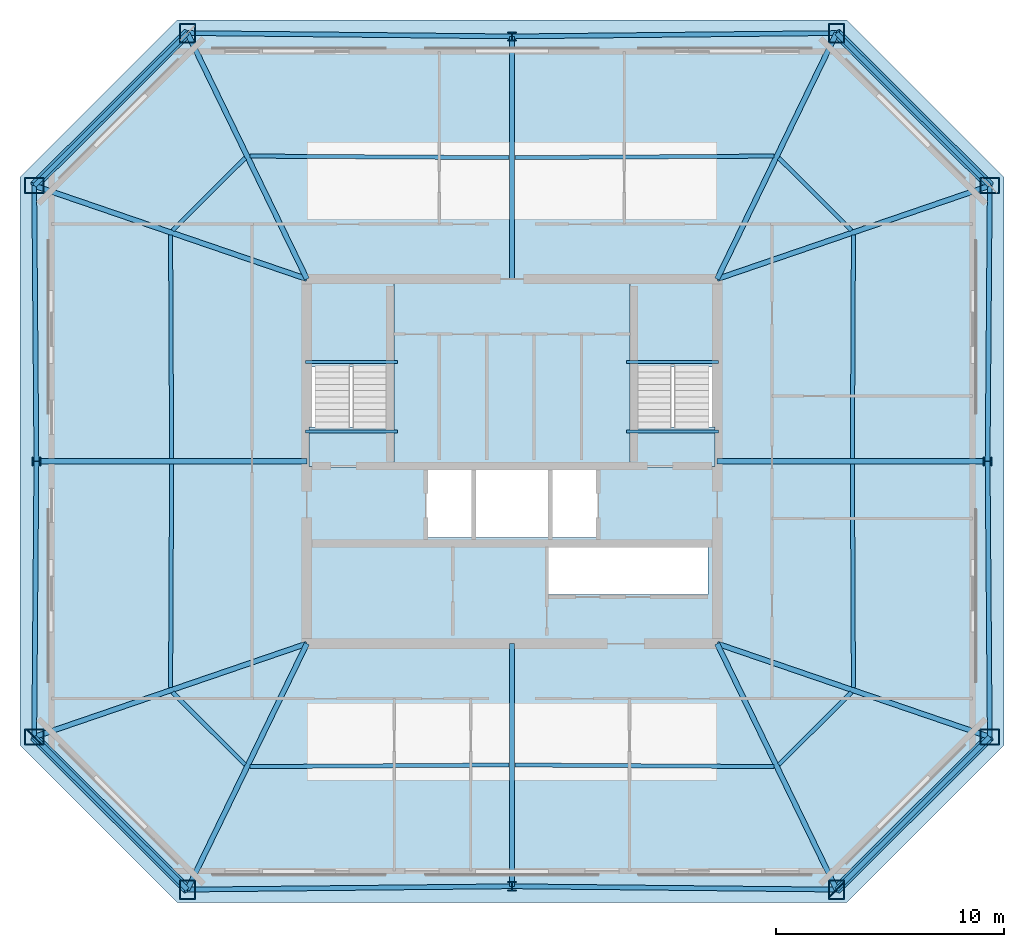
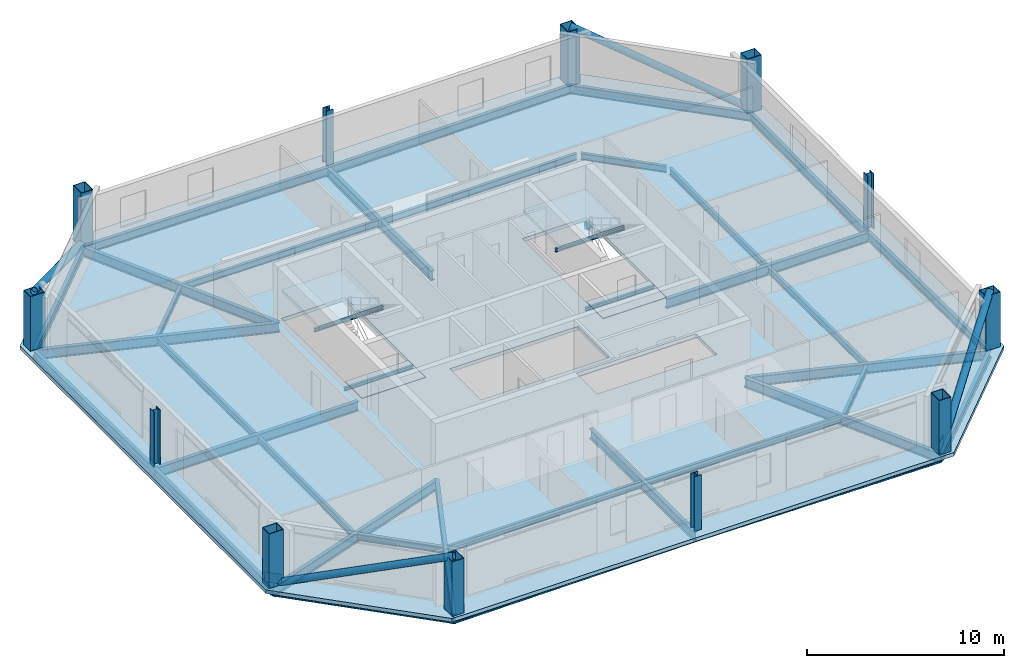
# One storey, part 1 of 7: 40 beams, 12 columns, 5 slabs, 4 members, 2 plates, 2 elements without a shape of their own.
"""IFC4 building model written with IfcOpenShell, lengths in metres."""

from ifc_helpers import new_model, si_unit, direction, frame, origin, origin_2d, place, context, subcontext, project, spatial, polyline, rectangle, hollow_rectangle, hollow_circle, i_section, outline, extrude, material, layer, layer_set, material_profile, profile_set, type_object, element, aggregate, save


model = new_model("IFC4")

# Units and contexts
model_context = context("Model", 3, precision=1e-05, world=origin(), true_north=direction((0.0, 1.0)))
body_context = subcontext(model_context, "Body", "Model", "MODEL_VIEW")
ifc_project = project(units=[si_unit("LENGTHUNIT", "METRE"), si_unit("AREAUNIT", "SQUARE_METRE"), si_unit("VOLUMEUNIT", "CUBIC_METRE"), si_unit("PLANEANGLEUNIT", "RADIAN"), si_unit("MASSUNIT", "GRAM", prefix="KILO")], contexts=[model_context])

# Site, building, storey
site_placement = place(None, origin())
site = spatial("IfcSite", under=ifc_project, at=site_placement, CompositionType="ELEMENT")
building_placement = place(site_placement, origin())
building = spatial("IfcBuilding", under=site, at=building_placement, Name="Caelvoria Tower", CompositionType="ELEMENT")
storey_placement = place(building_placement, frame((0.0, 0.0, 213.0)))
storey = spatial("IfcBuildingStorey", under=building, at=storey_placement, Name="L56", CompositionType="ELEMENT", Elevation=213.0)

# Columns
ifc_material_1 = material(Name="Structural Steel ASTM A572 Gr.50", Category="steel")
ifc_material_profile_1 = material_profile(ifc_material_1, hollow_rectangle(XDim=0.699951171875, YDim=0.85009765625, WallThickness=0.0400390625, at=origin_2d()), Name="Structural Steel ASTM A572 Gr.50")
ifc_profile_set_1 = profile_set([ifc_material_profile_1], Name="BOX850X700X40 - Structural Steel ASTM A572 Gr.50")
column_type_1 = type_object("IfcColumnType", Name="Mega Box Column 850x700x40", PredefinedType="COLUMN", material=ifc_profile_set_1)
for number, where, z_axis, x_axis, name in (
    (1, (31.757568359375, 13.210205078125, 0.0), (0.0, 0.0, 1.0), (1.0, 0.0, 0.0), "Perimeter Megaframe Column L56-P00"),
    (2, (60.242431640625, 13.210205078125, 0.0), (0.0, 0.0, 1.0), (1.0, 0.0, 0.0), "Perimeter Megaframe Column L56-P02"),
    (3, (66.962890625, 19.9052734375, 0.0), (0.0, 0.0, 1.0), (0.0, 1.0, 0.0), "Perimeter Megaframe Column L56-P03"),
    (4, (66.962890625, 44.0947265625, 0.0), (0.0, 0.0, 1.0), (0.0, 1.0, 0.0), "Perimeter Megaframe Column L56-P05"),
    (5, (60.242431640625, 50.789794921875, 0.0), (0.0, 0.0, 1.0), (1.0, 0.0, 0.0), "Perimeter Megaframe Column L56-P06"),
    (6, (31.757568359375, 50.789794921875, 0.0), (0.0, 0.0, 1.0), (1.0, 0.0, 0.0), "Perimeter Megaframe Column L56-P08"),
    (7, (25.037109375, 44.0947265625, 0.0), (0.0, 0.0, 1.0), (0.0, 1.0, 0.0), "Perimeter Megaframe Column L56-P09"),
    (8, (25.037109375, 19.9052734375, 0.0), (0.0, 0.0, 1.0), (0.0, 1.0, 0.0), "Perimeter Megaframe Column L56-P11"),
):
    element("IfcColumn", number, at=place(storey_placement, frame(where, z_axis=z_axis, x_axis=x_axis)), inside=storey, type_object=column_type_1, Name=name, PredefinedType="COLUMN", context=body_context, shape_type="SweptSolid", body=[
        extrude(hollow_rectangle(XDim=0.699951171875, YDim=0.85009765625, WallThickness=0.0400390625, at=origin_2d()), origin(), (0.0, 0.0, 1.0), 3.373046875),
    ])
ifc_material_2 = material(Name="Structural Steel ASTM A992 Gr.50", Category="steel")
ifc_material_profile_2 = material_profile(ifc_material_2, i_section(OverallWidth=0.40087890625, OverallDepth=0.39892578125, WebThickness=0.02490234375, FlangeThickness=0.03955078125, FilletRadius=0.02490234375, at=origin_2d()), Name="Structural Steel ASTM A992 Gr.50")
ifc_profile_set_2 = profile_set([ifc_material_profile_2], Name="W360X314 - Structural Steel ASTM A992 Gr.50")
column_type_2 = type_object("IfcColumnType", Name="Upper Frame Column W360X314", PredefinedType="COLUMN", material=ifc_profile_set_2)
for number, where, z_axis, x_axis, name in (
    (9, (46.0, 13.3564453125, 0.0), (0.0, 0.0, 1.0), (1.0, 0.0, 0.0), "Perimeter Megaframe Column L56-P01"),
    (10, (66.866455078125, 32.0, 0.0), (0.0, 0.0, 1.0), (0.0, 1.0, 0.0), "Perimeter Megaframe Column L56-P04"),
    (11, (46.0, 50.6435546875, 0.0), (0.0, 0.0, 1.0), (1.0, 0.0, 0.0), "Perimeter Megaframe Column L56-P07"),
    (12, (25.133544921875, 32.0, 0.0), (0.0, 0.0, 1.0), (0.0, 1.0, 0.0), "Perimeter Megaframe Column L56-P10"),
):
    element("IfcColumn", number, at=place(storey_placement, frame(where, z_axis=z_axis, x_axis=x_axis)), inside=storey, type_object=column_type_2, Name=name, PredefinedType="COLUMN", context=body_context, shape_type="SweptSolid", body=[
        extrude(i_section(OverallWidth=0.40087890625, OverallDepth=0.39892578125, WebThickness=0.02490234375, FlangeThickness=0.03955078125, FilletRadius=0.02490234375, at=origin_2d()), origin(), (0.0, 0.0, 1.0), 3.373046875),
    ])

# Beams
ifc_material_profile_3 = material_profile(ifc_material_2, i_section(OverallWidth=0.134033203125, OverallDepth=0.2099609375, WebThickness=0.00634765625, FlangeThickness=0.01025390625, FilletRadius=0.010009765625, at=origin_2d()), Name="Structural Steel ASTM A992 Gr.50")
ifc_profile_set_3 = profile_set([ifc_material_profile_3], Name="W200X31.3 - Structural Steel ASTM A992 Gr.50")
beam_type_1 = type_object("IfcBeamType", Name="Canopy Edge Trim Beam W200X31.3", PredefinedType="BEAM", material=ifc_profile_set_3)
for number, where, z_axis, x_axis, name in (
    (13, (36.929931640625, 36.35009765625, 1.4951171875), (1.0, 0.0, 0.0), (0.0, 1.0, 0.0), "ST-01 Half-Landing Support Beam L56"),
    (14, (36.929931640625, 33.300048828125, -0.304931640625), (1.0, 0.0, 0.0), (0.0, 1.0, 0.0), "ST-01 Floor-Landing Support Beam L56"),
    (15, (51.030029296875, 36.35009765625, 1.4951171875), (1.0, 0.0, 0.0), (0.0, 1.0, 0.0), "ST-02 Half-Landing Support Beam L56"),
    (16, (51.030029296875, 33.300048828125, -0.304931640625), (1.0, 0.0, 0.0), (0.0, 1.0, 0.0), "ST-02 Floor-Landing Support Beam L56"),
):
    element("IfcBeam", number, at=place(storey_placement, frame(where, z_axis=z_axis, x_axis=x_axis)), inside=storey, type_object=beam_type_1, Name=name, PredefinedType="BEAM", context=body_context, shape_type="SweptSolid", body=[
        extrude(i_section(OverallWidth=0.134033203125, OverallDepth=0.2099609375, WebThickness=0.00634765625, FlangeThickness=0.01025390625, FilletRadius=0.010009765625, at=origin_2d()), origin(), (0.0, 0.0, 1.0), 4.0400390625),
    ])
ifc_material_profile_4 = material_profile(ifc_material_2, i_section(OverallWidth=0.22802734375, OverallDepth=0.60302734375, WebThickness=0.010498046875, FlangeThickness=0.014892578125, FilletRadius=0.01806640625, at=origin_2d()), Name="Structural Steel ASTM A992 Gr.50")
ifc_profile_set_4 = profile_set([ifc_material_profile_4], Name="W610X101 - Structural Steel ASTM A992 Gr.50")
beam_type_2 = type_object("IfcBeamType", Name="Primary Floor Girder W610X101", PredefinedType="BEAM", material=ifc_profile_set_4)
beam_1_placement = place(storey_placement, frame((37.0, 24.0, -0.526611328125), z_axis=(-0.437016876181, -0.899453306144, 0.0), x_axis=(0.899453306144, -0.437016876181, 0.0)))
element("IfcBeam", 17, at=beam_1_placement, inside=storey, type_object=beam_type_2, Name="Primary Floor Girder L56-00", PredefinedType="BEAM", context=body_context, shape_type="SweptSolid", body=[
    extrude(i_section(OverallWidth=0.22802734375, OverallDepth=0.60302734375, WebThickness=0.010498046875, FlangeThickness=0.014892578125, FilletRadius=0.01806640625, at=origin_2d()), origin(), (0.0, 0.0, 1.0), 11.995849609375),
])
beam_2_placement = place(storey_placement, frame((46.0, 24.0, -0.526611328125), z_axis=(0.0, -1.0, 0.0), x_axis=(1.0, 0.0, 0.0)))
element("IfcBeam", 18, at=beam_2_placement, inside=storey, type_object=beam_type_2, Name="Primary Floor Girder L56-01", PredefinedType="BEAM", context=body_context, shape_type="SweptSolid", body=[
    extrude(i_section(OverallWidth=0.22802734375, OverallDepth=0.60302734375, WebThickness=0.010498046875, FlangeThickness=0.014892578125, FilletRadius=0.01806640625, at=origin_2d()), origin(), (0.0, 0.0, 1.0), 10.6435546875),
])
beam_3_placement = place(storey_placement, frame((55.0, 24.0, -0.526611328125), z_axis=(0.437016876181, -0.899453306144, 0.0), x_axis=(0.899453306144, 0.437016876181, 0.0)))
element("IfcBeam", 19, at=beam_3_placement, inside=storey, type_object=beam_type_2, Name="Primary Floor Girder L56-02", PredefinedType="BEAM", context=body_context, shape_type="SweptSolid", body=[
    extrude(i_section(OverallWidth=0.22802734375, OverallDepth=0.60302734375, WebThickness=0.010498046875, FlangeThickness=0.014892578125, FilletRadius=0.01806640625, at=origin_2d()), origin(), (0.0, 0.0, 1.0), 11.995849609375),
])
beam_4_placement = place(storey_placement, frame((55.0, 24.0, -0.526611328125), z_axis=(0.946111685505, -0.323840514067, 0.0), x_axis=(0.323840514067, 0.946111685505, 0.0)))
element("IfcBeam", 20, at=beam_4_placement, inside=storey, type_object=beam_type_2, Name="Primary Floor Girder L56-03", PredefinedType="BEAM", context=body_context, shape_type="SweptSolid", body=[
    extrude(i_section(OverallWidth=0.22802734375, OverallDepth=0.60302734375, WebThickness=0.010498046875, FlangeThickness=0.014892578125, FilletRadius=0.01806640625, at=origin_2d()), origin(), (0.0, 0.0, 1.0), 12.644287109375),
])
beam_5_placement = place(storey_placement, frame((55.0, 32.0, -0.526611328125), z_axis=(1.0, 0.0, 0.0), x_axis=(0.0, 1.0, 0.0)))
element("IfcBeam", 21, at=beam_5_placement, inside=storey, type_object=beam_type_2, Name="Primary Floor Girder L56-04", PredefinedType="BEAM", context=body_context, shape_type="SweptSolid", body=[
    extrude(i_section(OverallWidth=0.22802734375, OverallDepth=0.60302734375, WebThickness=0.010498046875, FlangeThickness=0.014892578125, FilletRadius=0.01806640625, at=origin_2d()), origin(), (0.0, 0.0, 1.0), 11.866455078125),
])
beam_6_placement = place(storey_placement, frame((55.0, 40.0, -0.526611328125), z_axis=(0.946111685505, 0.323840514067, 0.0), x_axis=(-0.323840514067, 0.946111685505, 0.0)))
element("IfcBeam", 22, at=beam_6_placement, inside=storey, type_object=beam_type_2, Name="Primary Floor Girder L56-05", PredefinedType="BEAM", context=body_context, shape_type="SweptSolid", body=[
    extrude(i_section(OverallWidth=0.22802734375, OverallDepth=0.60302734375, WebThickness=0.010498046875, FlangeThickness=0.014892578125, FilletRadius=0.01806640625, at=origin_2d()), origin(), (0.0, 0.0, 1.0), 12.644287109375),
])
beam_7_placement = place(storey_placement, frame((55.0, 40.0, -0.526611328125), z_axis=(0.437016876181, 0.899453306144, 0.0), x_axis=(-0.899453306144, 0.437016876181, 0.0)))
element("IfcBeam", 23, at=beam_7_placement, inside=storey, type_object=beam_type_2, Name="Primary Floor Girder L56-06", PredefinedType="BEAM", context=body_context, shape_type="SweptSolid", body=[
    extrude(i_section(OverallWidth=0.22802734375, OverallDepth=0.60302734375, WebThickness=0.010498046875, FlangeThickness=0.014892578125, FilletRadius=0.01806640625, at=origin_2d()), origin(), (0.0, 0.0, 1.0), 11.995849609375),
])
beam_8_placement = place(storey_placement, frame((46.0, 40.0, -0.526611328125), z_axis=(0.0, 1.0, 0.0), x_axis=(-1.0, 0.0, 0.0)))
element("IfcBeam", 24, at=beam_8_placement, inside=storey, type_object=beam_type_2, Name="Primary Floor Girder L56-07", PredefinedType="BEAM", context=body_context, shape_type="SweptSolid", body=[
    extrude(i_section(OverallWidth=0.22802734375, OverallDepth=0.60302734375, WebThickness=0.010498046875, FlangeThickness=0.014892578125, FilletRadius=0.01806640625, at=origin_2d()), origin(), (0.0, 0.0, 1.0), 10.6435546875),
])
beam_9_placement = place(storey_placement, frame((37.0, 40.0, -0.526611328125), z_axis=(-0.437016876181, 0.899453306144, 0.0), x_axis=(-0.899453306144, -0.437016876181, 0.0)))
element("IfcBeam", 25, at=beam_9_placement, inside=storey, type_object=beam_type_2, Name="Primary Floor Girder L56-08", PredefinedType="BEAM", context=body_context, shape_type="SweptSolid", body=[
    extrude(i_section(OverallWidth=0.22802734375, OverallDepth=0.60302734375, WebThickness=0.010498046875, FlangeThickness=0.014892578125, FilletRadius=0.01806640625, at=origin_2d()), origin(), (0.0, 0.0, 1.0), 11.995849609375),
])
beam_10_placement = place(storey_placement, frame((37.0, 40.0, -0.526611328125), z_axis=(-0.946111685505, 0.323840514067, 0.0), x_axis=(-0.323840514067, -0.946111685505, 0.0)))
element("IfcBeam", 26, at=beam_10_placement, inside=storey, type_object=beam_type_2, Name="Primary Floor Girder L56-09", PredefinedType="BEAM", context=body_context, shape_type="SweptSolid", body=[
    extrude(i_section(OverallWidth=0.22802734375, OverallDepth=0.60302734375, WebThickness=0.010498046875, FlangeThickness=0.014892578125, FilletRadius=0.01806640625, at=origin_2d()), origin(), (0.0, 0.0, 1.0), 12.644287109375),
])
beam_11_placement = place(storey_placement, frame((37.0, 32.0, -0.526611328125), z_axis=(-1.0, 0.0, 0.0), x_axis=(0.0, -1.0, 0.0)))
element("IfcBeam", 27, at=beam_11_placement, inside=storey, type_object=beam_type_2, Name="Primary Floor Girder L56-10", PredefinedType="BEAM", context=body_context, shape_type="SweptSolid", body=[
    extrude(i_section(OverallWidth=0.22802734375, OverallDepth=0.60302734375, WebThickness=0.010498046875, FlangeThickness=0.014892578125, FilletRadius=0.01806640625, at=origin_2d()), origin(), (0.0, 0.0, 1.0), 11.866455078125),
])
beam_12_placement = place(storey_placement, frame((37.0, 24.0, -0.526611328125), z_axis=(-0.946111685505, -0.323840514067, 0.0), x_axis=(0.323840514067, -0.946111685505, 0.0)))
element("IfcBeam", 28, at=beam_12_placement, inside=storey, type_object=beam_type_2, Name="Primary Floor Girder L56-11", PredefinedType="BEAM", context=body_context, shape_type="SweptSolid", body=[
    extrude(i_section(OverallWidth=0.22802734375, OverallDepth=0.60302734375, WebThickness=0.010498046875, FlangeThickness=0.014892578125, FilletRadius=0.01806640625, at=origin_2d()), origin(), (0.0, 0.0, 1.0), 12.644287109375),
])
ifc_material_profile_5 = material_profile(ifc_material_2, i_section(OverallWidth=0.177978515625, OverallDepth=0.406982421875, WebThickness=0.0078125, FlangeThickness=0.0126953125, FilletRadius=0.013916015625, at=origin_2d()), Name="Structural Steel ASTM A992 Gr.50")
ifc_profile_set_5 = profile_set([ifc_material_profile_5], Name="W410X60 - Structural Steel ASTM A992 Gr.50")
beam_type_3 = type_object("IfcBeamType", Name="Secondary Floor Beam W410X60", PredefinedType="BEAM", material=ifc_profile_set_5)
for number, where, z_axis, x_axis, name in (
    (29, (34.50390625, 18.60595703125, -0.428466796875), (0.999980213546, 0.006290669069, 0.0), (-0.006290669069, 0.999980213546, 0.0), "Secondary Floor Beam L56-00"),
    (30, (46.125, 18.677490234375, -0.428466796875), (0.999980213546, -0.006290669069, 0.0), (0.006290669069, 0.999980213546, 0.0), "Secondary Floor Beam L56-01"),
):
    element("IfcBeam", number, at=place(storey_placement, frame(where, z_axis=z_axis, x_axis=x_axis)), inside=storey, type_object=beam_type_3, Name=name, PredefinedType="BEAM", context=body_context, shape_type="SweptSolid", body=[
        extrude(i_section(OverallWidth=0.177978515625, OverallDepth=0.406982421875, WebThickness=0.0078125, FlangeThickness=0.0126953125, FilletRadius=0.013916015625, at=origin_2d()), origin(), (0.0, 0.0, 1.0), 11.371337890625),
    ])
beam_13_placement = place(storey_placement, frame((57.709716796875, 18.693359375, -0.428466796875), z_axis=(0.708436767567, 0.705774288536, 0.0), x_axis=(-0.705774288536, 0.708436767567, 0.0)))
element("IfcBeam", 31, at=beam_13_placement, inside=storey, type_object=beam_type_3, Name="Secondary Floor Beam L56-02", PredefinedType="BEAM", context=body_context, shape_type="SweptSolid", body=[
    extrude(i_section(OverallWidth=0.177978515625, OverallDepth=0.406982421875, WebThickness=0.0078125, FlangeThickness=0.0126953125, FilletRadius=0.013916015625, at=origin_2d()), origin(), (0.0, 0.0, 1.0), 4.4931640625),
])
for number, where, z_axis, x_axis, name in (
    (32, (60.980712890625, 22.07763671875, -0.428466796875), (-0.004784395776, 0.999988554713, 0.0), (-0.999988554713, -0.004784395776, 0.0), "Secondary Floor Beam L56-03"),
    (33, (60.933837890625, 32.125, -0.428466796875), (0.004784395776, 0.999988554713, 0.0), (-0.999988554713, 0.004784395776, 0.0), "Secondary Floor Beam L56-04"),
):
    element("IfcBeam", number, at=place(storey_placement, frame(where, z_axis=z_axis, x_axis=x_axis)), inside=storey, type_object=beam_type_3, Name=name, PredefinedType="BEAM", context=body_context, shape_type="SweptSolid", body=[
        extrude(i_section(OverallWidth=0.177978515625, OverallDepth=0.406982421875, WebThickness=0.0078125, FlangeThickness=0.0126953125, FilletRadius=0.013916015625, at=origin_2d()), origin(), (0.0, 0.0, 1.0), 9.79736328125),
    ])
beam_14_placement = place(storey_placement, frame((60.892822265625, 42.135498046875, -0.428466796875), z_axis=(-0.708436767567, 0.705774288536, 0.0), x_axis=(-0.705774288536, -0.708436767567, 0.0)))
element("IfcBeam", 34, at=beam_14_placement, inside=storey, type_object=beam_type_3, Name="Secondary Floor Beam L56-05", PredefinedType="BEAM", context=body_context, shape_type="SweptSolid", body=[
    extrude(i_section(OverallWidth=0.177978515625, OverallDepth=0.406982421875, WebThickness=0.0078125, FlangeThickness=0.0126953125, FilletRadius=0.013916015625, at=origin_2d()), origin(), (0.0, 0.0, 1.0), 4.4931640625),
])
for number, where, z_axis, x_axis, name in (
    (35, (57.49609375, 45.39404296875, -0.428466796875), (-0.999980213546, -0.006290669069, 0.0), (0.006290669069, -0.999980213546, 0.0), "Secondary Floor Beam L56-06"),
    (36, (45.875, 45.322509765625, -0.428466796875), (-0.999980213546, 0.006290669069, 0.0), (-0.006290669069, -0.999980213546, 0.0), "Secondary Floor Beam L56-07"),
):
    element("IfcBeam", number, at=place(storey_placement, frame(where, z_axis=z_axis, x_axis=x_axis)), inside=storey, type_object=beam_type_3, Name=name, PredefinedType="BEAM", context=body_context, shape_type="SweptSolid", body=[
        extrude(i_section(OverallWidth=0.177978515625, OverallDepth=0.406982421875, WebThickness=0.0078125, FlangeThickness=0.0126953125, FilletRadius=0.013916015625, at=origin_2d()), origin(), (0.0, 0.0, 1.0), 11.371337890625),
    ])
beam_15_placement = place(storey_placement, frame((34.290283203125, 45.306640625, -0.428466796875), z_axis=(-0.708436767567, -0.705774288536, 0.0), x_axis=(0.705774288536, -0.708436767567, 0.0)))
element("IfcBeam", 37, at=beam_15_placement, inside=storey, type_object=beam_type_3, Name="Secondary Floor Beam L56-08", PredefinedType="BEAM", context=body_context, shape_type="SweptSolid", body=[
    extrude(i_section(OverallWidth=0.177978515625, OverallDepth=0.406982421875, WebThickness=0.0078125, FlangeThickness=0.0126953125, FilletRadius=0.013916015625, at=origin_2d()), origin(), (0.0, 0.0, 1.0), 4.4931640625),
])
for number, where, z_axis, x_axis, name in (
    (38, (31.019287109375, 41.92236328125, -0.428466796875), (0.004784395776, -0.999988554713, 0.0), (0.999988554713, 0.004784395776, 0.0), "Secondary Floor Beam L56-09"),
    (39, (31.066162109375, 31.875, -0.428466796875), (-0.004784395776, -0.999988554713, 0.0), (0.999988554713, -0.004784395776, 0.0), "Secondary Floor Beam L56-10"),
):
    element("IfcBeam", number, at=place(storey_placement, frame(where, z_axis=z_axis, x_axis=x_axis)), inside=storey, type_object=beam_type_3, Name=name, PredefinedType="BEAM", context=body_context, shape_type="SweptSolid", body=[
        extrude(i_section(OverallWidth=0.177978515625, OverallDepth=0.406982421875, WebThickness=0.0078125, FlangeThickness=0.0126953125, FilletRadius=0.013916015625, at=origin_2d()), origin(), (0.0, 0.0, 1.0), 9.79736328125),
    ])
beam_16_placement = place(storey_placement, frame((31.107177734375, 21.864501953125, -0.428466796875), z_axis=(0.708436767567, -0.705774288536, 0.0), x_axis=(0.705774288536, 0.708436767567, 0.0)))
element("IfcBeam", 40, at=beam_16_placement, inside=storey, type_object=beam_type_3, Name="Secondary Floor Beam L56-11", PredefinedType="BEAM", context=body_context, shape_type="SweptSolid", body=[
    extrude(i_section(OverallWidth=0.177978515625, OverallDepth=0.406982421875, WebThickness=0.0078125, FlangeThickness=0.0126953125, FilletRadius=0.013916015625, at=origin_2d()), origin(), (0.0, 0.0, 1.0), 4.4931640625),
])

# Members
ifc_material_profile_6 = material_profile(ifc_material_1, hollow_circle(Radius=0.202880859375, WallThickness=0.01611328125, at=origin_2d()), Name="Structural Steel ASTM A572 Gr.50")
ifc_profile_set_6 = profile_set([ifc_material_profile_6], Name="CHS406X16 - Structural Steel ASTM A572 Gr.50")
member_type = type_object("IfcMemberType", Name="Upper Perimeter Mega Brace CHS406X16", PredefinedType="BRACE", material=ifc_profile_set_6)
for number, where, z_axis, x_axis, name in (
    (41, (60.242431640625, 13.210205078125, 0.0), (0.667459080331, 0.664937347328, 0.335196509845), (-0.705767225873, 0.708443803617, 0.0), "Perimeter Chamfer Mega Brace L56 SE"),
    (42, (66.962890625, 44.0947265625, 0.0), (-0.667459080331, 0.664937347328, 0.335196509845), (-0.705767225873, -0.708443803617, 0.0), "Perimeter Chamfer Mega Brace L56 NE"),
    (43, (31.757568359375, 50.789794921875, 0.0), (-0.667459080331, -0.664937347328, 0.335196509845), (0.705767225873, -0.708443803617, 0.0), "Perimeter Chamfer Mega Brace L56 NW"),
    (44, (25.037109375, 19.9052734375, 0.0), (0.667459080331, -0.664937347328, 0.335196509845), (0.705767225873, 0.708443803617, 0.0), "Perimeter Chamfer Mega Brace L56 SW"),
):
    element("IfcMember", number, at=place(storey_placement, frame(where, z_axis=z_axis, x_axis=x_axis)), inside=storey, type_object=member_type, Name=name, PredefinedType="BRACE", context=body_context, shape_type="SweptSolid", body=[
        extrude(hollow_circle(Radius=0.202880859375, WallThickness=0.01611328125, at=origin_2d()), origin(), (0.0, 0.0, 1.0), 10.068603515625),
    ])

# Beams
ifc_material_profile_7 = material_profile(ifc_material_2, i_section(OverallWidth=0.208984375, OverallDepth=0.532958984375, WebThickness=0.01025390625, FlangeThickness=0.015625, FilletRadius=0.01611328125, at=origin_2d()), Name="Structural Steel ASTM A992 Gr.50")
ifc_profile_set_7 = profile_set([ifc_material_profile_7], Name="W530X92 - Structural Steel ASTM A992 Gr.50")
beam_type_4 = type_object("IfcBeamType", Name="Upper Zone Spandrel W530X92", PredefinedType="BEAM", material=ifc_profile_set_7)
for number, where, z_axis, x_axis, name in (
    (45, (31.757568359375, 13.210205078125, -0.491455078125), (0.999947289016, 0.010267384784, 0.0), (-0.010267384784, 0.999947289016, 0.0), "Perimeter Spandrel Girder L56-00"),
    (46, (46.0, 13.3564453125, -0.491455078125), (0.999947289016, -0.010267384784, 0.0), (0.010267384784, 0.999947289016, 0.0), "Perimeter Spandrel Girder L56-01"),
):
    element("IfcBeam", number, at=place(storey_placement, frame(where, z_axis=z_axis, x_axis=x_axis)), inside=storey, type_object=beam_type_4, Name=name, PredefinedType="BEAM", context=body_context, shape_type="SweptSolid", body=[
        extrude(i_section(OverallWidth=0.208984375, OverallDepth=0.532958984375, WebThickness=0.01025390625, FlangeThickness=0.015625, FilletRadius=0.01611328125, at=origin_2d()), origin(), (0.0, 0.0, 1.0), 14.2431640625),
    ])
beam_17_placement = place(storey_placement, frame((60.242431640625, 13.210205078125, -0.491455078125), z_axis=(0.708443803617, 0.705767225873, 0.0), x_axis=(-0.705767225873, 0.708443803617, 0.0)))
element("IfcBeam", 47, at=beam_17_placement, inside=storey, type_object=beam_type_4, Name="Perimeter Spandrel Girder L56-02", PredefinedType="BEAM", context=body_context, shape_type="SweptSolid", body=[
    extrude(i_section(OverallWidth=0.208984375, OverallDepth=0.532958984375, WebThickness=0.01025390625, FlangeThickness=0.015625, FilletRadius=0.01611328125, at=origin_2d()), origin(), (0.0, 0.0, 1.0), 9.486328125),
])
for number, where, z_axis, x_axis, name in (
    (48, (66.962890625, 19.9052734375, -0.491455078125), (-0.007973101426, 0.999968214322, 0.0), (-0.999968214322, -0.007973101426, 0.0), "Perimeter Spandrel Girder L56-03"),
    (49, (66.866455078125, 32.0, -0.491455078125), (0.007973101426, 0.999968214322, 0.0), (-0.999968214322, 0.007973101426, 0.0), "Perimeter Spandrel Girder L56-04"),
):
    element("IfcBeam", number, at=place(storey_placement, frame(where, z_axis=z_axis, x_axis=x_axis)), inside=storey, type_object=beam_type_4, Name=name, PredefinedType="BEAM", context=body_context, shape_type="SweptSolid", body=[
        extrude(i_section(OverallWidth=0.208984375, OverallDepth=0.532958984375, WebThickness=0.01025390625, FlangeThickness=0.015625, FilletRadius=0.01611328125, at=origin_2d()), origin(), (0.0, 0.0, 1.0), 12.09521484375),
    ])
beam_18_placement = place(storey_placement, frame((66.962890625, 44.0947265625, -0.491455078125), z_axis=(-0.708443803617, 0.705767225873, 0.0), x_axis=(-0.705767225873, -0.708443803617, 0.0)))
element("IfcBeam", 50, at=beam_18_placement, inside=storey, type_object=beam_type_4, Name="Perimeter Spandrel Girder L56-05", PredefinedType="BEAM", context=body_context, shape_type="SweptSolid", body=[
    extrude(i_section(OverallWidth=0.208984375, OverallDepth=0.532958984375, WebThickness=0.01025390625, FlangeThickness=0.015625, FilletRadius=0.01611328125, at=origin_2d()), origin(), (0.0, 0.0, 1.0), 9.486328125),
])
for number, where, z_axis, x_axis, name in (
    (51, (60.242431640625, 50.789794921875, -0.491455078125), (-0.999947289016, -0.010267384784, 0.0), (0.010267384784, -0.999947289016, 0.0), "Perimeter Spandrel Girder L56-06"),
    (52, (46.0, 50.6435546875, -0.491455078125), (-0.999947289016, 0.010267384784, 0.0), (-0.010267384784, -0.999947289016, 0.0), "Perimeter Spandrel Girder L56-07"),
):
    element("IfcBeam", number, at=place(storey_placement, frame(where, z_axis=z_axis, x_axis=x_axis)), inside=storey, type_object=beam_type_4, Name=name, PredefinedType="BEAM", context=body_context, shape_type="SweptSolid", body=[
        extrude(i_section(OverallWidth=0.208984375, OverallDepth=0.532958984375, WebThickness=0.01025390625, FlangeThickness=0.015625, FilletRadius=0.01611328125, at=origin_2d()), origin(), (0.0, 0.0, 1.0), 14.2431640625),
    ])
beam_19_placement = place(storey_placement, frame((31.757568359375, 50.789794921875, -0.491455078125), z_axis=(-0.708443803617, -0.705767225873, 0.0), x_axis=(0.705767225873, -0.708443803617, 0.0)))
element("IfcBeam", 53, at=beam_19_placement, inside=storey, type_object=beam_type_4, Name="Perimeter Spandrel Girder L56-08", PredefinedType="BEAM", context=body_context, shape_type="SweptSolid", body=[
    extrude(i_section(OverallWidth=0.208984375, OverallDepth=0.532958984375, WebThickness=0.01025390625, FlangeThickness=0.015625, FilletRadius=0.01611328125, at=origin_2d()), origin(), (0.0, 0.0, 1.0), 9.486328125),
])
for number, where, z_axis, x_axis, name in (
    (54, (25.037109375, 44.0947265625, -0.491455078125), (0.007973101426, -0.999968214322, 0.0), (0.999968214322, 0.007973101426, 0.0), "Perimeter Spandrel Girder L56-09"),
    (55, (25.133544921875, 32.0, -0.491455078125), (-0.007973101426, -0.999968214322, 0.0), (0.999968214322, -0.007973101426, 0.0), "Perimeter Spandrel Girder L56-10"),
):
    element("IfcBeam", number, at=place(storey_placement, frame(where, z_axis=z_axis, x_axis=x_axis)), inside=storey, type_object=beam_type_4, Name=name, PredefinedType="BEAM", context=body_context, shape_type="SweptSolid", body=[
        extrude(i_section(OverallWidth=0.208984375, OverallDepth=0.532958984375, WebThickness=0.01025390625, FlangeThickness=0.015625, FilletRadius=0.01611328125, at=origin_2d()), origin(), (0.0, 0.0, 1.0), 12.09521484375),
    ])
beam_20_placement = place(storey_placement, frame((25.037109375, 19.9052734375, -0.491455078125), z_axis=(0.708443803617, -0.705767225873, 0.0), x_axis=(0.705767225873, 0.708443803617, 0.0)))
element("IfcBeam", 56, at=beam_20_placement, inside=storey, type_object=beam_type_4, Name="Perimeter Spandrel Girder L56-11", PredefinedType="BEAM", context=body_context, shape_type="SweptSolid", body=[
    extrude(i_section(OverallWidth=0.208984375, OverallDepth=0.532958984375, WebThickness=0.01025390625, FlangeThickness=0.015625, FilletRadius=0.01611328125, at=origin_2d()), origin(), (0.0, 0.0, 1.0), 9.486328125),
])

# Plates
ifc_layer_1 = layer(ifc_material_1, 0.0400390625, Name="Structural Steel ASTM A572 Gr.50")
ifc_layer_set_1 = layer_set([ifc_layer_1], Name="Megaframe Node Gusset Plate 900x600x40 - Structural Steel ASTM A572 Gr.50")
plate_type = type_object("IfcPlateType", Name="Megaframe Node Gusset Plate 900x600x40", PredefinedType="USERDEFINED", material=ifc_layer_set_1)
for number, where, z_axis, x_axis, name in (
    (57, (60.242431640625, 13.210205078125, 0.02001953125), (0.0, 0.0, 1.0), (0.708439620888, 0.70577142444, 0.0), "Chamfer Mega Brace Gusset L56 SE"),
    (58, (25.037109375, 19.9052734375, 0.02001953125), (0.0, 0.0, 1.0), (0.708439620888, -0.70577142444, 0.0), "Chamfer Mega Brace Gusset L56 SW"),
):
    element("IfcPlate", number, at=place(storey_placement, frame(where, z_axis=z_axis, x_axis=x_axis)), inside=storey, type_object=plate_type, Name=name, ObjectType="GUSSET_PLATE", PredefinedType="USERDEFINED", context=body_context, shape_type="SweptSolid", body=[
        extrude(rectangle(XDim=0.89990234375, YDim=0.0400390625, at=origin_2d()), origin(), (0.0, 0.0, 1.0), 0.60009765625),
    ])

# Stair, slabs
ifc_material_3 = material(Name="Concrete C40/50", Category="concrete")
stair_type = type_object("IfcStairType", Name="Core Smokeproof Dogleg Stair Concrete C40/50", PredefinedType="HALF_TURN_STAIR", material=ifc_material_3)
stair_1_placement = place(storey_placement, origin())
stair_1 = element("IfcStair", 59, at=stair_1_placement, inside=storey, type_object=stair_type, Name="ST-01 Smokeproof Exit Stair L56", PredefinedType="HALF_TURN_STAIR")
ifc_layer_2 = layer(ifc_material_3, 0.199951171875, Name="Concrete C40/50")
ifc_layer_set_2 = layer_set([ifc_layer_2], Name="Stair Half and Floor Landing Slab 200 Concrete C40/50 - Concrete C40/50")
slab_type_1 = type_object("IfcSlabType", Name="Stair Half and Floor Landing Slab 200 Concrete C40/50", PredefinedType="LANDING", material=ifc_layer_set_2)
slab_1_placement = place(storey_placement, frame((0.0, 0.0, -0.199951171875)))
slab_1 = element("IfcSlab", 60, at=slab_1_placement, type_object=slab_type_1, Name="ST-01 landing 1", PredefinedType="LANDING", context=body_context, shape_type="SweptSolid", body=[
    extrude(outline(polyline([(37.10009765625, 31.77001953125), (40.800048828125, 31.77001953125), (40.800048828125, 33.5), (37.10009765625, 33.5), (37.10009765625, 31.77001953125)])), origin(), (0.0, 0.0, 1.0), 0.199951171875),
])
slab_2_placement = place(storey_placement, frame((0.0, 0.0, 1.60009765625)))
slab_2 = element("IfcSlab", 61, at=slab_2_placement, type_object=slab_type_1, Name="ST-01 landing 2", PredefinedType="LANDING", context=body_context, shape_type="SweptSolid", body=[
    extrude(outline(polyline([(37.10009765625, 36.14990234375), (40.800048828125, 36.14990234375), (40.800048828125, 39.89990234375), (37.10009765625, 39.89990234375), (37.10009765625, 36.14990234375)])), origin(), (0.0, 0.0, 1.0), 0.199951171875),
])
aggregate(stair_1, [slab_1, slab_2])

stair_2_placement = place(storey_placement, origin())
stair_2 = element("IfcStair", 62, at=stair_2_placement, inside=storey, type_object=stair_type, Name="ST-02 Smokeproof Exit Stair L56", PredefinedType="HALF_TURN_STAIR")
slab_3_placement = place(storey_placement, frame((0.0, 0.0, -0.199951171875)))
slab_3 = element("IfcSlab", 63, at=slab_3_placement, type_object=slab_type_1, Name="ST-02 landing 1", PredefinedType="LANDING", context=body_context, shape_type="SweptSolid", body=[
    extrude(outline(polyline([(51.199951171875, 31.77001953125), (54.89990234375, 31.77001953125), (54.89990234375, 33.5), (51.199951171875, 33.5), (51.199951171875, 31.77001953125)])), origin(), (0.0, 0.0, 1.0), 0.199951171875),
])
slab_4_placement = place(storey_placement, frame((0.0, 0.0, 1.60009765625)))
slab_4 = element("IfcSlab", 64, at=slab_4_placement, type_object=slab_type_1, Name="ST-02 landing 2", PredefinedType="LANDING", context=body_context, shape_type="SweptSolid", body=[
    extrude(outline(polyline([(51.199951171875, 36.14990234375), (54.89990234375, 36.14990234375), (54.89990234375, 39.89990234375), (51.199951171875, 39.89990234375), (51.199951171875, 36.14990234375)])), origin(), (0.0, 0.0, 1.0), 0.199951171875),
])
aggregate(stair_2, [slab_3, slab_4])

# Slab
ifc_layer_3 = layer(ifc_material_3, 0.22509765625, Name="Concrete C40/50")
ifc_layer_set_3 = layer_set([ifc_layer_3], Name="Upper Tower Composite Office Slab 225 - Concrete C40/50")
slab_type_2 = type_object("IfcSlabType", Name="Upper Tower Composite Office Slab 225", PredefinedType="FLOOR", material=ifc_layer_set_3)
slab_5_placement = place(storey_placement, frame((0.0, 0.0, -0.22509765625)))
element("IfcSlab", 65, at=slab_5_placement, inside=storey, type_object=slab_type_2, Name="Level L56 Structural Floor Slab", PredefinedType="FLOOR", context=body_context, shape_type="SweptSolid", body=[
    extrude(outline(polyline([(31.32275390625, 12.636474609375), (60.67724609375, 12.636474609375), (67.58642578125, 19.54541015625), (67.58642578125, 44.45458984375), (60.67724609375, 51.363525390625), (31.32275390625, 51.363525390625), (24.41357421875, 44.45458984375), (24.41357421875, 19.54541015625), (31.32275390625, 12.636474609375)]), holes=[polyline([(37.080078125, 31.75), (40.820068359375, 31.75), (40.820068359375, 39.919921875), (37.080078125, 39.919921875), (37.080078125, 31.75)]), polyline([(51.179931640625, 31.75), (54.919921875, 31.75), (54.919921875, 39.919921875), (51.179931640625, 39.919921875), (51.179931640625, 31.75)]), polyline([(42.25, 28.64990234375), (49.75, 28.64990234375), (49.75, 31.800048828125), (42.25, 31.800048828125), (42.25, 28.64990234375)]), polyline([(47.60009765625, 26.14990234375), (54.60009765625, 26.14990234375), (54.60009765625, 28.25), (47.60009765625, 28.25), (47.60009765625, 26.14990234375)])]), origin(), (0.0, 0.0, 1.0), 0.22509765625),
])

save(model, "model.ifc")
